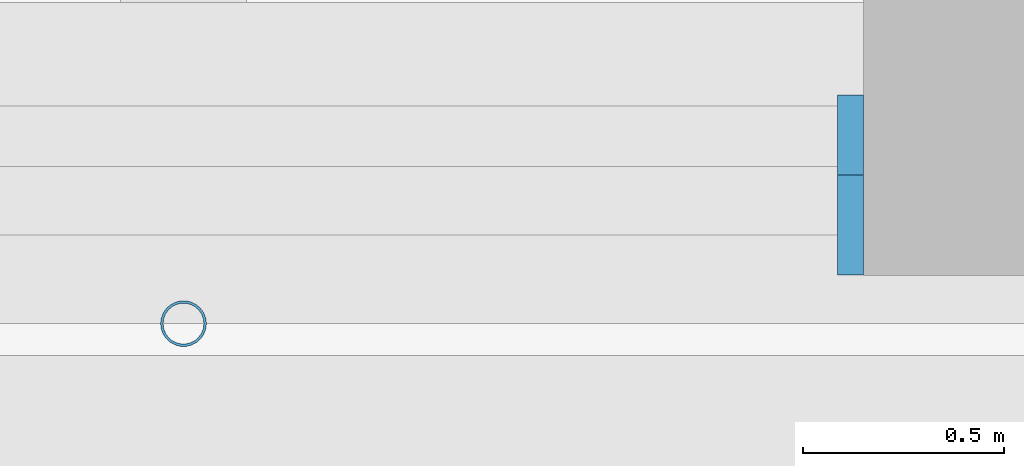
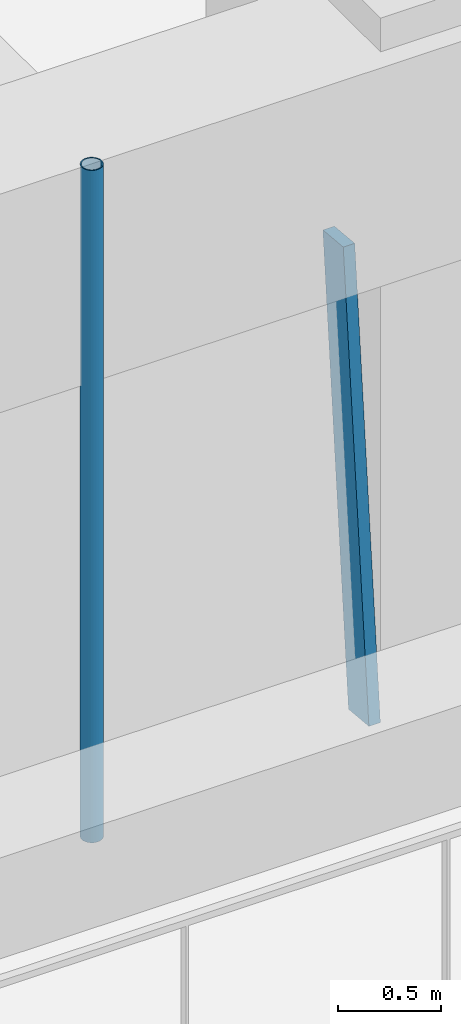
# One storey, part 4 of 24: 2 members, 1 element without a shape of its own.
"""IFC4 building model written with IfcOpenShell, lengths in metres."""

from ifc_helpers import new_model, si_unit, direction, frame, origin, origin_2d, place, context, subcontext, project, spatial, rectangle, hollow_circle, extrude, material, material_profile, profile_set, type_object, element, aggregate, save


model = new_model("IFC4")

# Units and contexts
model_context = context("Model", 3, precision=1e-05, world=origin(), true_north=direction((0.0, 1.0)))
body_context = subcontext(model_context, "Body", "Model", "MODEL_VIEW")
ifc_project = project(units=[si_unit("LENGTHUNIT", "METRE"), si_unit("AREAUNIT", "SQUARE_METRE"), si_unit("VOLUMEUNIT", "CUBIC_METRE"), si_unit("PLANEANGLEUNIT", "RADIAN"), si_unit("MASSUNIT", "GRAM", prefix="KILO")], contexts=[model_context])

# Site, building, storey
site_placement = place(None, origin())
site = spatial("IfcSite", under=ifc_project, at=site_placement, CompositionType="ELEMENT")
building_placement = place(site_placement, origin())
building = spatial("IfcBuilding", under=site, at=building_placement, Name="Tarfa Lantern Tower", CompositionType="ELEMENT")
storey_placement = place(building_placement, frame((0.0, 0.0, 73.89990234375)))
storey = spatial("IfcBuildingStorey", under=building, at=storey_placement, Name="L16", CompositionType="ELEMENT", Elevation=73.89990234375)

# Curtain wall, member
ifc_material_1 = material(Name="Aluminium framed curtain wall", Category="aluminium")
curtain_wall_type = type_object("IfcCurtainWallType", Name="CW1 CANTED GLAZING LOW ZONE 2700", PredefinedType="USERDEFINED", material=ifc_material_1)
curtain_wall_placement = place(storey_placement, origin())
curtain_wall = element("IfcCurtainWall", 1, at=curtain_wall_placement, inside=storey, type_object=curtain_wall_type, Name="CW1 S L16", ObjectType="CURTAIN WALL", PredefinedType="USERDEFINED")
ifc_material_2 = material(Name="Aluminium mullion", Category="aluminium")
ifc_material_profile_1 = material_profile(ifc_material_2, rectangle(XDim=0.06494140625, YDim=0.199951171875, at=origin_2d()), Name="AL MULLION 65x200")
ifc_profile_set_1 = profile_set([ifc_material_profile_1], Name="Aluminium mullion")
member_type_1 = type_object("IfcMemberType", Name="CWM1 MULLION 65x200", PredefinedType="MULLION", material=ifc_profile_set_1)
member_1_placement = place(storey_placement, frame((9.74462890625, -33.89990234375, 0.0), z_axis=(0.0, 0.092191598296, 0.995741286281), x_axis=(-1.0, 0.0, 0.0)))
member_1 = element("IfcMember", 2, at=member_1_placement, type_object=member_type_1, Name="CW1 mullion 2", PredefinedType="MULLION", context=body_context, shape_type="SweptSolid", body=[
    extrude(rectangle(XDim=0.06494140625, YDim=0.199951171875, at=origin_2d()), origin(), (0.0, 0.0, 1.0), 2.711669921875),
])
aggregate(curtain_wall, [member_1])

# Member
ifc_material_3 = material(Name="Steel S355", Category="steel")
ifc_material_profile_2 = material_profile(ifc_material_3, hollow_circle(Radius=0.05712890625, WallThickness=0.00634765625, at=origin_2d()), Name="CHS114.3x6.3")
ifc_profile_set_2 = profile_set([ifc_material_profile_2], Name="Steel S355")
member_type_2 = type_object("IfcMemberType", Name="TR1 GREEN WALL TRELLIS CHS114.3x6.3", PredefinedType="USERDEFINED", material=ifc_profile_set_2)
member_2_placement = place(storey_placement, frame((8.0830078125, -34.1201171875, 0.0), z_axis=(0.0, 0.0, 1.0), x_axis=(1.0, 0.0, 0.0)))
element("IfcMember", 3, at=member_2_placement, inside=storey, type_object=member_type_2, Name="Trellis post S 2", ObjectType="TRELLIS", PredefinedType="USERDEFINED", context=body_context, shape_type="SweptSolid", body=[
    extrude(hollow_circle(Radius=0.05712890625, WallThickness=0.00634765625, at=origin_2d()), origin(), (0.0, 0.0, 1.0), 4.0),
])

save(model, "model.ifc")
